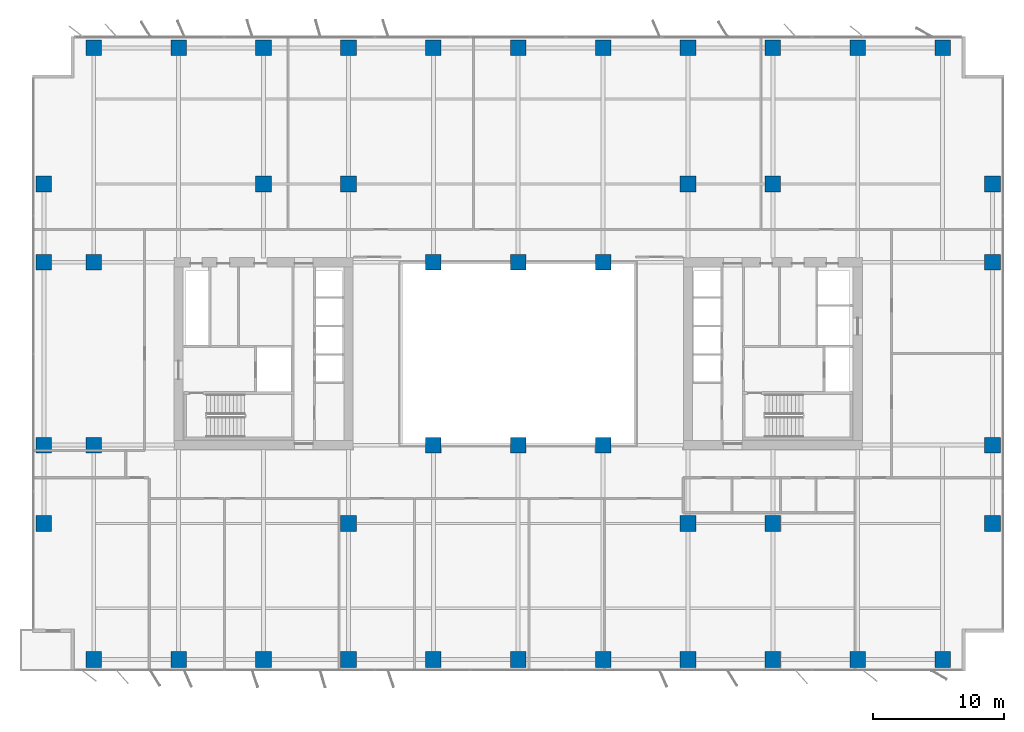
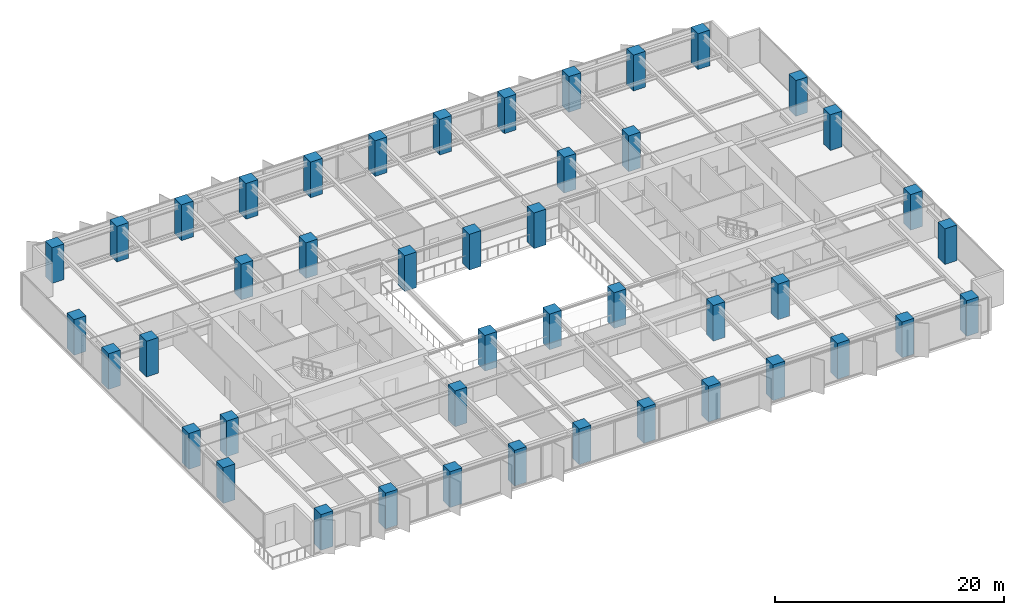
# One storey, part 1 of 20: 45 columns.
"""IFC4 building model written with IfcOpenShell, lengths in metres."""

from ifc_helpers import new_model, si_unit, direction, frame, origin, origin_2d, place, context, subcontext, project, spatial, rectangle, extrude, material, material_profile, profile_set, type_object, element, save


model = new_model("IFC4")

# Units and contexts
model_context = context("Model", 3, precision=1e-05, world=origin(), true_north=direction((0.0, 1.0)))
body_context = subcontext(model_context, "Body", "Model", "MODEL_VIEW")
ifc_project = project(units=[si_unit("LENGTHUNIT", "METRE"), si_unit("AREAUNIT", "SQUARE_METRE"), si_unit("VOLUMEUNIT", "CUBIC_METRE"), si_unit("PLANEANGLEUNIT", "RADIAN"), si_unit("MASSUNIT", "GRAM", prefix="KILO")], contexts=[model_context])

# Site, building, storey
site_placement = place(None, origin())
site = spatial("IfcSite", under=ifc_project, at=site_placement, CompositionType="ELEMENT")
building_placement = place(site_placement, origin())
building = spatial("IfcBuilding", under=site, at=building_placement, Name="Putna Gate Headquarters", CompositionType="ELEMENT")
storey_placement = place(building_placement, frame((0.0, 0.0, 97.39990234375)))
storey = spatial("IfcBuildingStorey", under=building, at=storey_placement, Name="L23", CompositionType="ELEMENT", Elevation=97.39990234375)

# Columns
ifc_material = material(Name="Concrete C60/75", Category="concrete")
ifc_material_profile_1 = material_profile(ifc_material, rectangle(XDim=1.199951171875, YDim=1.199951171875, at=origin_2d()), Name="Concrete C60/75")
ifc_profile_set_1 = profile_set([ifc_material_profile_1], Name="Concrete C60/75")
column_type_1 = type_object("IfcColumnType", Name="COL-RC1200-EXT", PredefinedType="COLUMN", material=ifc_profile_set_1)
for number, where, z_axis, x_axis, name in (
    (1, (6.5, 2.580078125, 0.0), (0.0, 0.0, 1.0), (1.0, 0.0, 0.0), "L23 Column CP-S6"),
    (2, (6.5, 49.419921875, 0.0), (0.0, 0.0, 1.0), (1.0, 0.0, 0.0), "L23 Column CP-N6"),
    (3, (13.0, 2.580078125, 0.0), (0.0, 0.0, 1.0), (1.0, 0.0, 0.0), "L23 Column CP-S13"),
    (4, (13.0, 49.419921875, 0.0), (0.0, 0.0, 1.0), (1.0, 0.0, 0.0), "L23 Column CP-N13"),
    (5, (19.5, 2.580078125, 0.0), (0.0, 0.0, 1.0), (1.0, 0.0, 0.0), "L23 Column CP-S19"),
    (6, (19.5, 49.419921875, 0.0), (0.0, 0.0, 1.0), (1.0, 0.0, 0.0), "L23 Column CP-N19"),
    (7, (26.0, 2.580078125, 0.0), (0.0, 0.0, 1.0), (1.0, 0.0, 0.0), "L23 Column CP-S26"),
    (8, (26.0, 49.419921875, 0.0), (0.0, 0.0, 1.0), (1.0, 0.0, 0.0), "L23 Column CP-N26"),
    (9, (32.5, 2.580078125, 0.0), (0.0, 0.0, 1.0), (1.0, 0.0, 0.0), "L23 Column CP-S32"),
    (10, (32.5, 49.419921875, 0.0), (0.0, 0.0, 1.0), (1.0, 0.0, 0.0), "L23 Column CP-N32"),
    (11, (39.0, 2.580078125, 0.0), (0.0, 0.0, 1.0), (1.0, 0.0, 0.0), "L23 Column CP-S39"),
    (12, (39.0, 49.419921875, 0.0), (0.0, 0.0, 1.0), (1.0, 0.0, 0.0), "L23 Column CP-N39"),
    (13, (45.5, 2.580078125, 0.0), (0.0, 0.0, 1.0), (1.0, 0.0, 0.0), "L23 Column CP-S45"),
    (14, (45.5, 49.419921875, 0.0), (0.0, 0.0, 1.0), (1.0, 0.0, 0.0), "L23 Column CP-N45"),
    (15, (52.0, 2.580078125, 0.0), (0.0, 0.0, 1.0), (1.0, 0.0, 0.0), "L23 Column CP-S52"),
    (16, (52.0, 49.419921875, 0.0), (0.0, 0.0, 1.0), (1.0, 0.0, 0.0), "L23 Column CP-N52"),
    (17, (58.5, 2.580078125, 0.0), (0.0, 0.0, 1.0), (1.0, 0.0, 0.0), "L23 Column CP-S58"),
    (18, (58.5, 49.419921875, 0.0), (0.0, 0.0, 1.0), (1.0, 0.0, 0.0), "L23 Column CP-N58"),
    (19, (65.0, 2.580078125, 0.0), (0.0, 0.0, 1.0), (1.0, 0.0, 0.0), "L23 Column CP-S65"),
    (20, (65.0, 49.419921875, 0.0), (0.0, 0.0, 1.0), (1.0, 0.0, 0.0), "L23 Column CP-N65"),
    (21, (71.5, 2.580078125, 0.0), (0.0, 0.0, 1.0), (1.0, 0.0, 0.0), "L23 Column CP-S71"),
    (22, (71.5, 49.419921875, 0.0), (0.0, 0.0, 1.0), (1.0, 0.0, 0.0), "L23 Column CP-N71"),
    (23, (2.679931640625, 13.0, 0.0), (0.0, 0.0, 1.0), (1.0, 0.0, 0.0), "L23 Column CP-W13"),
    (24, (75.320068359375, 13.0, 0.0), (0.0, 0.0, 1.0), (1.0, 0.0, 0.0), "L23 Column CP-E13"),
    (25, (2.679931640625, 19.0, 0.0), (0.0, 0.0, 1.0), (1.0, 0.0, 0.0), "L23 Column CP-W19"),
    (26, (75.320068359375, 19.0, 0.0), (0.0, 0.0, 1.0), (1.0, 0.0, 0.0), "L23 Column CP-E19"),
    (27, (2.679931640625, 33.0, 0.0), (0.0, 0.0, 1.0), (1.0, 0.0, 0.0), "L23 Column CP-W33"),
    (28, (75.320068359375, 33.0, 0.0), (0.0, 0.0, 1.0), (1.0, 0.0, 0.0), "L23 Column CP-E33"),
    (29, (2.679931640625, 39.0, 0.0), (0.0, 0.0, 1.0), (1.0, 0.0, 0.0), "L23 Column CP-W39"),
    (30, (75.320068359375, 39.0, 0.0), (0.0, 0.0, 1.0), (1.0, 0.0, 0.0), "L23 Column CP-E39"),
):
    element("IfcColumn", number, at=place(storey_placement, frame(where, z_axis=z_axis, x_axis=x_axis)), inside=storey, type_object=column_type_1, Name=name, PredefinedType="COLUMN", context=body_context, shape_type="SweptSolid", body=[
        extrude(rectangle(XDim=1.199951171875, YDim=1.199951171875, at=origin_2d()), origin(), (0.0, 0.0, 1.0), 3.800048828125),
    ])
ifc_material_profile_2 = material_profile(ifc_material, rectangle(XDim=1.199951171875, YDim=1.199951171875, at=origin_2d()), Name="Concrete C60/75")
ifc_profile_set_2 = profile_set([ifc_material_profile_2], Name="Concrete C60/75")
column_type_2 = type_object("IfcColumnType", Name="COL-RC1200-INT", PredefinedType="COLUMN", material=ifc_profile_set_2)
for number, where, z_axis, x_axis, name in (
    (31, (19.5, 39.0, 0.0), (0.0, 0.0, 1.0), (1.0, 0.0, 0.0), "L23 Column CSI-WN"),
    (32, (58.5, 13.0, 0.0), (0.0, 0.0, 1.0), (1.0, 0.0, 0.0), "L23 Column CSI-ES"),
    (33, (58.5, 39.0, 0.0), (0.0, 0.0, 1.0), (1.0, 0.0, 0.0), "L23 Column CSI-EN"),
    (34, (6.5, 19.0, 0.0), (0.0, 0.0, 1.0), (1.0, 0.0, 0.0), "L23 Column CSI-WM"),
    (35, (6.5, 33.0, 0.0), (0.0, 0.0, 1.0), (1.0, 0.0, 0.0), "L23 Column CSI-WNW"),
    (36, (32.5, 19.0, 0.0), (0.0, 0.0, 1.0), (1.0, 0.0, 0.0), "L23 Column CAI-S32"),
    (37, (32.5, 33.0, 0.0), (0.0, 0.0, 1.0), (1.0, 0.0, 0.0), "L23 Column CAI-N32"),
    (38, (39.0, 19.0, 0.0), (0.0, 0.0, 1.0), (1.0, 0.0, 0.0), "L23 Column CAI-S39"),
    (39, (39.0, 33.0, 0.0), (0.0, 0.0, 1.0), (1.0, 0.0, 0.0), "L23 Column CAI-N39"),
    (40, (45.5, 19.0, 0.0), (0.0, 0.0, 1.0), (1.0, 0.0, 0.0), "L23 Column CAI-S45"),
    (41, (45.5, 33.0, 0.0), (0.0, 0.0, 1.0), (1.0, 0.0, 0.0), "L23 Column CAI-N45"),
    (42, (26.0, 13.0, 0.0), (0.0, 0.0, 1.0), (1.0, 0.0, 0.0), "L23 Column CAP-WS"),
    (43, (26.0, 39.0, 0.0), (0.0, 0.0, 1.0), (1.0, 0.0, 0.0), "L23 Column CAP-WN"),
    (44, (52.0, 13.0, 0.0), (0.0, 0.0, 1.0), (1.0, 0.0, 0.0), "L23 Column CAP-ES"),
    (45, (52.0, 39.0, 0.0), (0.0, 0.0, 1.0), (1.0, 0.0, 0.0), "L23 Column CAP-EN"),
):
    element("IfcColumn", number, at=place(storey_placement, frame(where, z_axis=z_axis, x_axis=x_axis)), inside=storey, type_object=column_type_2, Name=name, PredefinedType="COLUMN", context=body_context, shape_type="SweptSolid", body=[
        extrude(rectangle(XDim=1.199951171875, YDim=1.199951171875, at=origin_2d()), origin(), (0.0, 0.0, 1.0), 3.800048828125),
    ])

save(model, "model.ifc")
